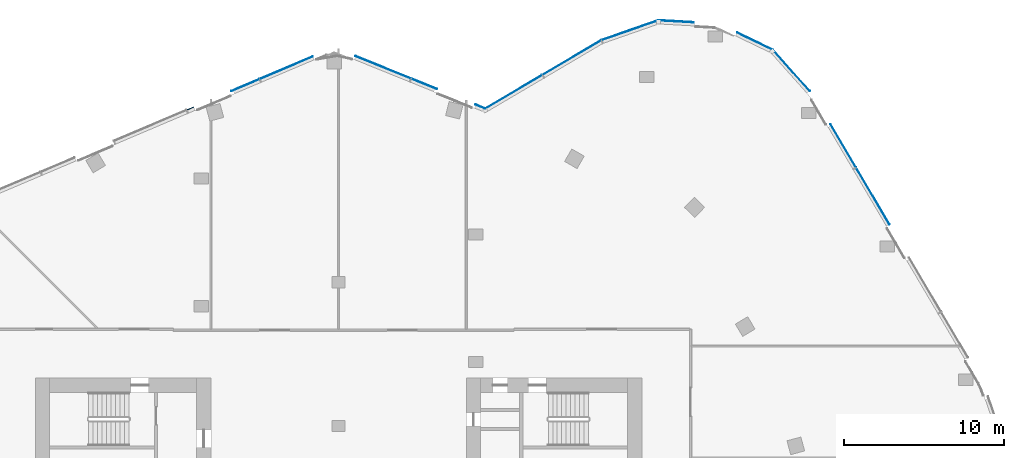
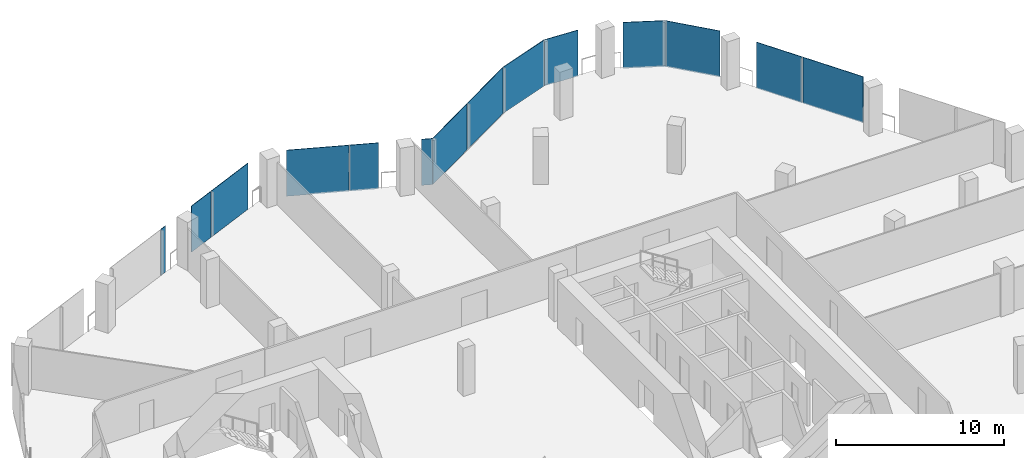
# One storey, part 17 of 26: 14 plates, 8 elements without a shape of their own.
"""IFC4 building model written with IfcOpenShell, lengths in metres."""

from ifc_helpers import new_model, si_unit, direction, frame, origin, origin_2d, place, context, subcontext, project, spatial, rectangle, extrude, material, layer, layer_set, type_object, element, aggregate, save


model = new_model("IFC4")

# Units and contexts
model_context = context("Model", 3, precision=1e-05, world=origin(), true_north=direction((0.0, 1.0)))
body_context = subcontext(model_context, "Body", "Model", "MODEL_VIEW")
ifc_project = project(units=[si_unit("LENGTHUNIT", "METRE"), si_unit("AREAUNIT", "SQUARE_METRE"), si_unit("VOLUMEUNIT", "CUBIC_METRE"), si_unit("PLANEANGLEUNIT", "RADIAN"), si_unit("MASSUNIT", "GRAM", prefix="KILO")], contexts=[model_context])

# Site, building, storey
site_placement = place(None, origin())
site = spatial("IfcSite", under=ifc_project, at=site_placement, CompositionType="ELEMENT")
building_placement = place(site_placement, origin())
building = spatial("IfcBuilding", under=site, at=building_placement, Name="Orlundy Tower", CompositionType="ELEMENT")
storey_placement = place(building_placement, frame((0.0, 0.0, 275.39990234375)))
storey = spatial("IfcBuildingStorey", under=building, at=storey_placement, Name="L73", CompositionType="ELEMENT", Elevation=275.39990234375)

# Curtain wall, plates
ifc_material_1 = material(Name="Aluminium bronze anodised", Category="aluminium")
curtain_wall_type = type_object("IfcCurtainWallType", Name="CW6 wall", PredefinedType="NOTDEFINED", material=ifc_material_1)
curtain_wall_1_placement = place(storey_placement, origin())
curtain_wall_1 = element("IfcCurtainWall", 1, at=curtain_wall_1_placement, inside=storey, type_object=curtain_wall_type, Name="CW6 run 016", PredefinedType="NOTDEFINED")
ifc_material_2 = material(Name="Tinted glass", Category="glass")
ifc_layer = layer(ifc_material_2, 0.035888671875)
ifc_layer_set = layer_set([ifc_layer], Name="CW6 glass panel 36")
plate_type = type_object("IfcPlateType", Name="CW6 glass panel 36", PredefinedType="CURTAIN_PANEL", material=ifc_layer_set)
plate_1_placement = place(storey_placement, frame((-9.287353515625, 28.89013671875, -0.23974609375), z_axis=(0.0, 0.0, 1.0), x_axis=(0.920506804854, 0.390726531244, 0.0)))
plate_1 = element("IfcPlate", 2, at=plate_1_placement, type_object=plate_type, Name="CW6 panel", PredefinedType="CURTAIN_PANEL", context=body_context, shape_type="SweptSolid", body=[
    extrude(rectangle(XDim=0.45751953125, YDim=0.035888671875, at=origin_2d()), origin(), (0.0, 0.0, 1.0), 3.340087890625),
])
plate_2_placement = place(storey_placement, frame((-5.85009765625, 30.34912109375, -0.23974609375), z_axis=(0.0, 0.0, 1.0), x_axis=(0.920506804854, 0.390726531244, 0.0)))
plate_2 = element("IfcPlate", 3, at=plate_2_placement, type_object=plate_type, Name="CW6 panel", PredefinedType="CURTAIN_PANEL", context=body_context, shape_type="SweptSolid", body=[
    extrude(rectangle(XDim=1.916015625, YDim=0.035888671875, at=origin_2d()), origin(), (0.0, 0.0, 1.0), 3.340087890625),
])
plate_3_placement = place(storey_placement, frame((-3.26904296875, 31.444580078125, -0.23974609375), z_axis=(0.0, 0.0, 1.0), x_axis=(0.920506804854, 0.390726531244, 0.0)))
plate_3 = element("IfcPlate", 4, at=plate_3_placement, type_object=plate_type, Name="CW6 panel", PredefinedType="CURTAIN_PANEL", context=body_context, shape_type="SweptSolid", body=[
    extrude(rectangle(XDim=3.592041015625, YDim=0.035888671875, at=origin_2d()), origin(), (0.0, 0.0, 1.0), 3.340087890625),
])
aggregate(curtain_wall_1, [plate_1, plate_2, plate_3])

curtain_wall_2_placement = place(storey_placement, origin())
curtain_wall_2 = element("IfcCurtainWall", 5, at=curtain_wall_2_placement, inside=storey, type_object=curtain_wall_type, Name="CW6 run 017", PredefinedType="NOTDEFINED")
plate_4_placement = place(storey_placement, frame((2.791259765625, 31.46826171875, -0.23974609375), z_axis=(0.0, 0.0, 1.0), x_axis=(0.927170719858, -0.374639101319, 0.0)))
plate_4 = element("IfcPlate", 6, at=plate_4_placement, type_object=plate_type, Name="CW6 panel", PredefinedType="CURTAIN_PANEL", context=body_context, shape_type="SweptSolid", body=[
    extrude(rectangle(XDim=3.734619140625, YDim=0.035888671875, at=origin_2d()), origin(), (0.0, 0.0, 1.0), 3.340087890625),
])
plate_5_placement = place(storey_placement, frame((5.365966796875, 30.427978515625, -0.23974609375), z_axis=(0.0, 0.0, 1.0), x_axis=(0.927170719858, -0.374639101319, 0.0)))
plate_5 = element("IfcPlate", 7, at=plate_5_placement, type_object=plate_type, Name="CW6 panel", PredefinedType="CURTAIN_PANEL", context=body_context, shape_type="SweptSolid", body=[
    extrude(rectangle(XDim=1.719482421875, YDim=0.035888671875, at=origin_2d()), origin(), (0.0, 0.0, 1.0), 3.340087890625),
])
plate_6_placement = place(storey_placement, frame((8.8828125, 29.0068359375, -0.23974609375), z_axis=(0.0, 0.0, 1.0), x_axis=(0.927170719858, -0.374639101319, 0.0)))
plate_6 = element("IfcPlate", 8, at=plate_6_placement, type_object=plate_type, Name="CW6 panel", PredefinedType="CURTAIN_PANEL", context=body_context, shape_type="SweptSolid", body=[
    extrude(rectangle(XDim=0.662109375, YDim=0.035888671875, at=origin_2d()), origin(), (0.0, 0.0, 1.0), 3.340087890625),
])
aggregate(curtain_wall_2, [plate_4, plate_5, plate_6])

curtain_wall_3_placement = place(storey_placement, origin())
curtain_wall_3 = element("IfcCurtainWall", 9, at=curtain_wall_3_placement, inside=storey, type_object=curtain_wall_type, Name="CW6 run 018", PredefinedType="NOTDEFINED")
plate_7_placement = place(storey_placement, frame((10.9697265625, 29.93115234375, -0.23974609375), z_axis=(0.0, 0.0, 1.0), x_axis=(0.861662932394, 0.5074810252, 0.0)))
plate_7 = element("IfcPlate", 10, at=plate_7_placement, type_object=plate_type, Name="CW6 panel", PredefinedType="CURTAIN_PANEL", context=body_context, shape_type="SweptSolid", body=[
    extrude(rectangle(XDim=4.131591796875, YDim=0.035888671875, at=origin_2d()), origin(), (0.0, 0.0, 1.0), 3.340087890625),
])
plate_8_placement = place(storey_placement, frame((14.61865234375, 32.080322265625, -0.23974609375), z_axis=(0.0, 0.0, 1.0), x_axis=(0.861662932394, 0.5074810252, 0.0)))
plate_8 = element("IfcPlate", 11, at=plate_8_placement, type_object=plate_type, Name="CW6 panel", PredefinedType="CURTAIN_PANEL", context=body_context, shape_type="SweptSolid", body=[
    extrude(rectangle(XDim=4.23779296875, YDim=0.035888671875, at=origin_2d()), origin(), (0.0, 0.0, 1.0), 3.340087890625),
])
aggregate(curtain_wall_3, [plate_7, plate_8])

# Curtain wall, plate
curtain_wall_4_placement = place(storey_placement, origin())
curtain_wall_4 = element("IfcCurtainWall", 12, at=curtain_wall_4_placement, inside=storey, type_object=curtain_wall_type, Name="CW6 run 019", PredefinedType="NOTDEFINED")
plate_9_placement = place(storey_placement, frame((18.2587890625, 33.79443359375, -0.23974609375), z_axis=(0.0, 0.0, 1.0), x_axis=(0.944081083956, 0.32971337085, 0.0)))
plate_9 = element("IfcPlate", 13, at=plate_9_placement, type_object=plate_type, Name="CW6 panel", PredefinedType="CURTAIN_PANEL", context=body_context, shape_type="SweptSolid", body=[
    extrude(rectangle(XDim=3.7470703125, YDim=0.035888671875, at=origin_2d()), origin(), (0.0, 0.0, 1.0), 3.340087890625),
])
aggregate(curtain_wall_4, [plate_9])

curtain_wall_5_placement = place(storey_placement, origin())
curtain_wall_5 = element("IfcCurtainWall", 14, at=curtain_wall_5_placement, inside=storey, type_object=curtain_wall_type, Name="CW6 run 020", PredefinedType="NOTDEFINED")
plate_10_placement = place(storey_placement, frame((21.136474609375, 34.34912109375, -0.23974609375), z_axis=(0.0, 0.0, 1.0), x_axis=(0.998394082315, -0.056650299193, 0.0)))
plate_10 = element("IfcPlate", 15, at=plate_10_placement, type_object=plate_type, Name="CW6 panel", PredefinedType="CURTAIN_PANEL", context=body_context, shape_type="SweptSolid", body=[
    extrude(rectangle(XDim=2.2216796875, YDim=0.035888671875, at=origin_2d()), origin(), (0.0, 0.0, 1.0), 3.340087890625),
])
aggregate(curtain_wall_5, [plate_10])

curtain_wall_6_placement = place(storey_placement, origin())
curtain_wall_6 = element("IfcCurtainWall", 16, at=curtain_wall_6_placement, inside=storey, type_object=curtain_wall_type, Name="CW6 run 021", PredefinedType="NOTDEFINED")
plate_11_placement = place(storey_placement, frame((26.104736328125, 33.09375, -0.23974609375), z_axis=(0.0, 0.0, 1.0), x_axis=(0.900755489188, -0.434326546158, 0.0)))
plate_11 = element("IfcPlate", 17, at=plate_11_placement, type_object=plate_type, Name="CW6 panel", PredefinedType="CURTAIN_PANEL", context=body_context, shape_type="SweptSolid", body=[
    extrude(rectangle(XDim=2.510009765625, YDim=0.035888671875, at=origin_2d()), origin(), (0.0, 0.0, 1.0), 3.340087890625),
])
aggregate(curtain_wall_6, [plate_11])

curtain_wall_7_placement = place(storey_placement, origin())
curtain_wall_7 = element("IfcCurtainWall", 18, at=curtain_wall_7_placement, inside=storey, type_object=curtain_wall_type, Name="CW6 run 022", PredefinedType="NOTDEFINED")
plate_12_placement = place(storey_placement, frame((28.380615234375, 31.26513671875, -0.23974609375), z_axis=(0.0, 0.0, 1.0), x_axis=(0.665769138425, -0.746157794518, 0.0)))
plate_12 = element("IfcPlate", 19, at=plate_12_placement, type_object=plate_type, Name="CW6 panel", PredefinedType="CURTAIN_PANEL", context=body_context, shape_type="SweptSolid", body=[
    extrude(rectangle(XDim=3.440673828125, YDim=0.035888671875, at=origin_2d()), origin(), (0.0, 0.0, 1.0), 3.340087890625),
])
aggregate(curtain_wall_7, [plate_12])

# Curtain wall, plates
curtain_wall_8_placement = place(storey_placement, origin())
curtain_wall_8 = element("IfcCurtainWall", 20, at=curtain_wall_8_placement, inside=storey, type_object=curtain_wall_type, Name="CW6 run 023", PredefinedType="NOTDEFINED")
plate_13_placement = place(storey_placement, frame((31.619384765625, 26.55517578125, -0.23974609375), z_axis=(0.0, 0.0, 1.0), x_axis=(0.507531980737, -0.861632919827, 0.0)))
plate_13 = element("IfcPlate", 21, at=plate_13_placement, type_object=plate_type, Name="CW6 panel", PredefinedType="CURTAIN_PANEL", context=body_context, shape_type="SweptSolid", body=[
    extrude(rectangle(XDim=3.1162109375, YDim=0.035888671875, at=origin_2d()), origin(), (0.0, 0.0, 1.0), 3.340087890625),
])
plate_14_placement = place(storey_placement, frame((33.478515625, 23.39892578125, -0.23974609375), z_axis=(0.0, 0.0, 1.0), x_axis=(0.507531980737, -0.861632919827, 0.0)))
plate_14 = element("IfcPlate", 22, at=plate_14_placement, type_object=plate_type, Name="CW6 panel", PredefinedType="CURTAIN_PANEL", context=body_context, shape_type="SweptSolid", body=[
    extrude(rectangle(XDim=4.110107421875, YDim=0.035888671875, at=origin_2d()), origin(), (0.0, 0.0, 1.0), 3.340087890625),
])
aggregate(curtain_wall_8, [plate_13, plate_14])

save(model, "model.ifc")
